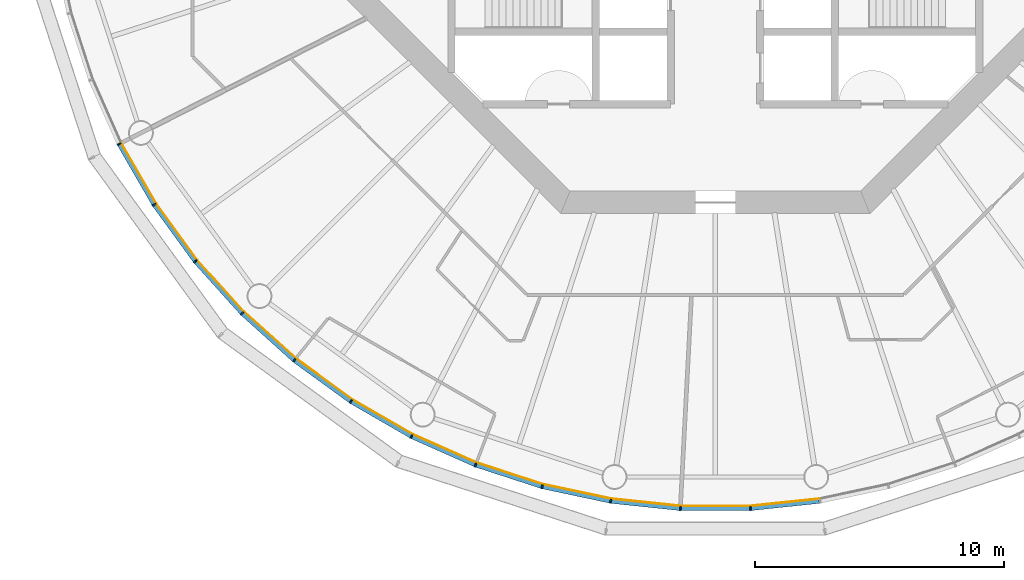
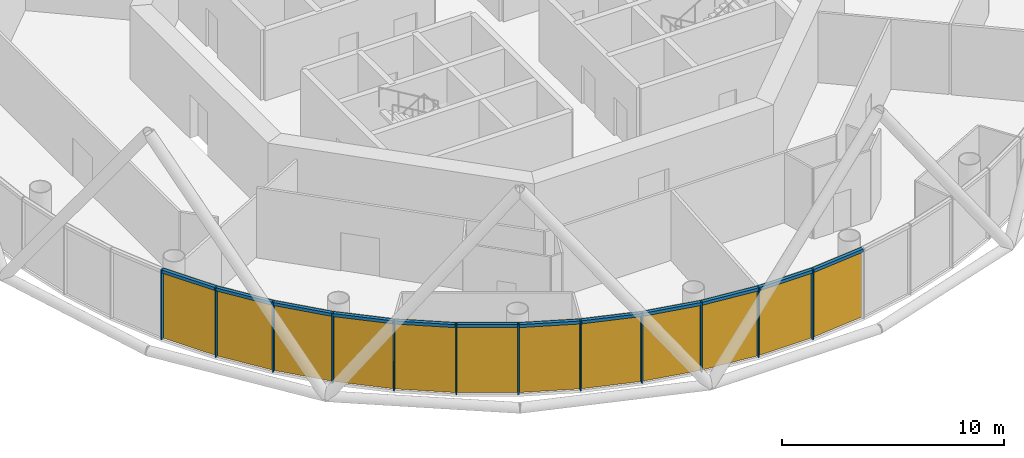
# One storey, part 7 of 13: 24 members, 4 curtain walls.
"""IFC4 building model written with IfcOpenShell, lengths in metres."""

from ifc_helpers import new_model, si_unit, direction, frame, origin, origin_2d, place, context, subcontext, project, spatial, polyline, rectangle, outline, extrude, material, layer, layer_set, material_profile, profile_set, type_object, element, aggregate, save


model = new_model("IFC4")

# Units and contexts
model_context = context("Model", 3, precision=1e-05, world=origin(), true_north=direction((0.0, 1.0)))
body_context = subcontext(model_context, "Body", "Model", "MODEL_VIEW")
ifc_project = project(units=[si_unit("LENGTHUNIT", "METRE"), si_unit("AREAUNIT", "SQUARE_METRE"), si_unit("VOLUMEUNIT", "CUBIC_METRE"), si_unit("PLANEANGLEUNIT", "RADIAN"), si_unit("MASSUNIT", "GRAM", prefix="KILO")], contexts=[model_context])

# Member
ifc_material_1 = material(Name="Anodised aluminium", Category="aluminium")
ifc_material_profile_1 = material_profile(ifc_material_1, rectangle(XDim=0.06005859375, YDim=0.169921875, at=origin_2d()), Name="Mullion 60 x 170 mm anodised aluminium")
ifc_profile_set_1 = profile_set([ifc_material_profile_1], Name="Anodised aluminium")
member_type_1 = type_object("IfcMemberType", Name="Mullion 60 x 170 mm anodised aluminium", PredefinedType="MULLION", material=ifc_profile_set_1)
site_placement = place(None, origin())
building_placement = place(site_placement, origin())
storey_placement = place(building_placement, frame((0.0, 0.0, 250.0)))
member_1_placement = place(storey_placement, frame((66.04541015625, 67.79443359375, 0.0), z_axis=(0.0, 0.0, 1.0), x_axis=(0.45399049974, -0.891006524188, 0.0)))
member_1 = element("IfcMember", 1, at=member_1_placement, type_object=member_type_1, Name="MULLION L57-33", PredefinedType="MULLION", context=body_context, shape_type="SweptSolid", body=[
    extrude(rectangle(XDim=0.06005859375, YDim=0.169921875, at=origin_2d()), origin(), (0.0, 0.0, 1.0), 3.85009765625),
])

member_2_placement = place(storey_placement, frame((67.452392578125, 65.357421875, 0.0), z_axis=(0.0, 0.0, 1.0), x_axis=(0.544639035015, -0.838670567945, 0.0)))
member_2 = element("IfcMember", 2, at=member_2_placement, type_object=member_type_1, Name="MULLION L57-34", PredefinedType="MULLION", context=body_context, shape_type="SweptSolid", body=[
    extrude(rectangle(XDim=0.06005859375, YDim=0.169921875, at=origin_2d()), origin(), (0.0, 0.0, 1.0), 3.85009765625),
])

member_3_placement = place(storey_placement, frame((69.1064453125, 63.080810546875, 0.0), z_axis=(0.0, 0.0, 1.0), x_axis=(0.62932039105, -0.777145961457, 0.0)))
member_3 = element("IfcMember", 3, at=member_3_placement, type_object=member_type_1, Name="MULLION L57-35", PredefinedType="MULLION", context=body_context, shape_type="SweptSolid", body=[
    extrude(rectangle(XDim=0.06005859375, YDim=0.169921875, at=origin_2d()), origin(), (0.0, 0.0, 1.0), 3.85009765625),
])

member_4_placement = place(storey_placement, frame((70.989501953125, 60.989501953125, 0.0), z_axis=(0.0, 0.0, 1.0), x_axis=(0.707106781187, -0.707106781187, 0.0)))
member_4 = element("IfcMember", 4, at=member_4_placement, type_object=member_type_1, Name="MULLION L57-36", PredefinedType="MULLION", context=body_context, shape_type="SweptSolid", body=[
    extrude(rectangle(XDim=0.06005859375, YDim=0.169921875, at=origin_2d()), origin(), (0.0, 0.0, 1.0), 3.85009765625),
])

member_5_placement = place(storey_placement, frame((73.080810546875, 59.1064453125, 0.0), z_axis=(0.0, 0.0, 1.0), x_axis=(0.777145961457, -0.62932039105, 0.0)))
member_5 = element("IfcMember", 5, at=member_5_placement, type_object=member_type_1, Name="MULLION L57-37", PredefinedType="MULLION", context=body_context, shape_type="SweptSolid", body=[
    extrude(rectangle(XDim=0.06005859375, YDim=0.169921875, at=origin_2d()), origin(), (0.0, 0.0, 1.0), 3.85009765625),
])

member_6_placement = place(storey_placement, frame((75.357421875, 57.452392578125, 0.0), z_axis=(0.0, 0.0, 1.0), x_axis=(0.838670567945, -0.544639035015, 0.0)))
member_6 = element("IfcMember", 6, at=member_6_placement, type_object=member_type_1, Name="MULLION L57-38", PredefinedType="MULLION", context=body_context, shape_type="SweptSolid", body=[
    extrude(rectangle(XDim=0.06005859375, YDim=0.169921875, at=origin_2d()), origin(), (0.0, 0.0, 1.0), 3.85009765625),
])

member_7_placement = place(storey_placement, frame((77.79443359375, 56.04541015625, 0.0), z_axis=(0.0, 0.0, 1.0), x_axis=(0.891006524188, -0.45399049974, 0.0)))
member_7 = element("IfcMember", 7, at=member_7_placement, type_object=member_type_1, Name="MULLION L57-39", PredefinedType="MULLION", context=body_context, shape_type="SweptSolid", body=[
    extrude(rectangle(XDim=0.06005859375, YDim=0.169921875, at=origin_2d()), origin(), (0.0, 0.0, 1.0), 3.85009765625),
])

member_8_placement = place(storey_placement, frame((80.365234375, 54.900634765625, 0.0), z_axis=(0.0, 0.0, 1.0), x_axis=(0.933580426497, -0.358367949545, 0.0)))
member_8 = element("IfcMember", 8, at=member_8_placement, type_object=member_type_1, Name="MULLION L57-40", PredefinedType="MULLION", context=body_context, shape_type="SweptSolid", body=[
    extrude(rectangle(XDim=0.06005859375, YDim=0.169921875, at=origin_2d()), origin(), (0.0, 0.0, 1.0), 3.85009765625),
])

member_9_placement = place(storey_placement, frame((83.041748046875, 54.031005859375, 0.0), z_axis=(0.0, 0.0, 1.0), x_axis=(0.965925826289, -0.258819045103, 0.0)))
member_9 = element("IfcMember", 9, at=member_9_placement, type_object=member_type_1, Name="MULLION L57-41", PredefinedType="MULLION", context=body_context, shape_type="SweptSolid", body=[
    extrude(rectangle(XDim=0.06005859375, YDim=0.169921875, at=origin_2d()), origin(), (0.0, 0.0, 1.0), 3.85009765625),
])

member_10_placement = place(storey_placement, frame((85.794189453125, 53.446044921875, 0.0), z_axis=(0.0, 0.0, 1.0), x_axis=(0.987688340595, -0.15643446504, 0.0)))
member_10 = element("IfcMember", 10, at=member_10_placement, type_object=member_type_1, Name="MULLION L57-42", PredefinedType="MULLION", context=body_context, shape_type="SweptSolid", body=[
    extrude(rectangle(XDim=0.06005859375, YDim=0.169921875, at=origin_2d()), origin(), (0.0, 0.0, 1.0), 3.85009765625),
])

member_11_placement = place(storey_placement, frame((88.593017578125, 53.15185546875, 0.0), z_axis=(0.0, 0.0, 1.0), x_axis=(0.998629534755, -0.052335956243, 0.0)))
member_11 = element("IfcMember", 11, at=member_11_placement, type_object=member_type_1, Name="MULLION L57-43", PredefinedType="MULLION", context=body_context, shape_type="SweptSolid", body=[
    extrude(rectangle(XDim=0.06005859375, YDim=0.169921875, at=origin_2d()), origin(), (0.0, 0.0, 1.0), 3.85009765625),
])

member_12_placement = place(storey_placement, frame((91.406982421875, 53.15185546875, 0.0), z_axis=(0.0, 0.0, 1.0), x_axis=(0.998629534755, 0.052335956243, 0.0)))
member_12 = element("IfcMember", 12, at=member_12_placement, type_object=member_type_1, Name="MULLION L57-44", PredefinedType="MULLION", context=body_context, shape_type="SweptSolid", body=[
    extrude(rectangle(XDim=0.06005859375, YDim=0.169921875, at=origin_2d()), origin(), (0.0, 0.0, 1.0), 3.85009765625),
])

ifc_material_2 = material(Name="Anodised aluminium", Category="aluminium")
ifc_material_profile_2 = material_profile(ifc_material_2, rectangle(XDim=0.169921875, YDim=0.1650390625, at=origin_2d()), Name="Transom 165 x 170 mm anodised aluminium")
ifc_profile_set_2 = profile_set([ifc_material_profile_2], Name="Anodised aluminium")
member_type_2 = type_object("IfcMemberType", Name="Transom 165 x 170 mm anodised aluminium", PredefinedType="USERDEFINED", material=ifc_profile_set_2)
member_13_placement = place(storey_placement, frame((66.0625, 67.7646484375, 3.767578125), z_axis=(0.49998419723, -0.866034527326, 0.0), x_axis=(0.866034527326, 0.49998419723, 0.0)))
member_13 = element("IfcMember", 13, at=member_13_placement, type_object=member_type_2, Name="TRANSOM L57-33", ObjectType="TRANSOM", PredefinedType="USERDEFINED", context=body_context, shape_type="SweptSolid", body=[
    extrude(rectangle(XDim=0.169921875, YDim=0.1650390625, at=origin_2d()), origin(), (0.0, 0.0, 1.0), 2.7451171875),
])

member_14_placement = place(storey_placement, frame((67.472412109375, 65.329345703125, 3.767578125), z_axis=(0.587864947412, -0.808959086484, 0.0), x_axis=(0.808959086484, 0.587864947412, 0.0)))
member_14 = element("IfcMember", 14, at=member_14_placement, type_object=member_type_2, Name="TRANSOM L57-34", ObjectType="TRANSOM", PredefinedType="USERDEFINED", context=body_context, shape_type="SweptSolid", body=[
    extrude(rectangle(XDim=0.169921875, YDim=0.1650390625, at=origin_2d()), origin(), (0.0, 0.0, 1.0), 2.7451171875),
])

member_15_placement = place(storey_placement, frame((69.12939453125, 63.054931640625, 3.767578125), z_axis=(0.669141598561, -0.743134927907, 0.0), x_axis=(0.743134927907, 0.669141598561, 0.0)))
member_15 = element("IfcMember", 15, at=member_15_placement, type_object=member_type_2, Name="TRANSOM L57-35", ObjectType="TRANSOM", PredefinedType="USERDEFINED", context=body_context, shape_type="SweptSolid", body=[
    extrude(rectangle(XDim=0.169921875, YDim=0.1650390625, at=origin_2d()), origin(), (0.0, 0.0, 1.0), 2.7451171875),
])

member_16_placement = place(storey_placement, frame((71.014892578125, 60.96630859375, 3.767578125), z_axis=(0.743134927907, -0.669141598561, 0.0), x_axis=(0.669141598561, 0.743134927907, 0.0)))
member_16 = element("IfcMember", 16, at=member_16_placement, type_object=member_type_2, Name="TRANSOM L57-36", ObjectType="TRANSOM", PredefinedType="USERDEFINED", context=body_context, shape_type="SweptSolid", body=[
    extrude(rectangle(XDim=0.169921875, YDim=0.1650390625, at=origin_2d()), origin(), (0.0, 0.0, 1.0), 2.7451171875),
])

member_17_placement = place(storey_placement, frame((73.108642578125, 59.086181640625, 3.767578125), z_axis=(0.808959086484, -0.587864947412, 0.0), x_axis=(0.587864947412, 0.808959086484, 0.0)))
member_17 = element("IfcMember", 17, at=member_17_placement, type_object=member_type_2, Name="TRANSOM L57-37", ObjectType="TRANSOM", PredefinedType="USERDEFINED", context=body_context, shape_type="SweptSolid", body=[
    extrude(rectangle(XDim=0.169921875, YDim=0.1650390625, at=origin_2d()), origin(), (0.0, 0.0, 1.0), 2.7451171875),
])

member_18_placement = place(storey_placement, frame((75.38720703125, 57.43505859375, 3.767578125), z_axis=(0.866034527326, -0.49998419723, 0.0), x_axis=(0.49998419723, 0.866034527326, 0.0)))
member_18 = element("IfcMember", 18, at=member_18_placement, type_object=member_type_2, Name="TRANSOM L57-38", ObjectType="TRANSOM", PredefinedType="USERDEFINED", context=body_context, shape_type="SweptSolid", body=[
    extrude(rectangle(XDim=0.169921875, YDim=0.1650390625, at=origin_2d()), origin(), (0.0, 0.0, 1.0), 2.7451171875),
])

member_19_placement = place(storey_placement, frame((77.825927734375, 56.03125, 3.767578125), z_axis=(0.913525267704, -0.406781987391, 0.0), x_axis=(0.406781987391, 0.913525267704, 0.0)))
member_19 = element("IfcMember", 19, at=member_19_placement, type_object=member_type_2, Name="TRANSOM L57-39", ObjectType="TRANSOM", PredefinedType="USERDEFINED", context=body_context, shape_type="SweptSolid", body=[
    extrude(rectangle(XDim=0.169921875, YDim=0.1650390625, at=origin_2d()), origin(), (0.0, 0.0, 1.0), 2.7451171875),
])

member_20_placement = place(storey_placement, frame((80.39794921875, 54.889892578125, 3.767578125), z_axis=(0.951048445774, -0.309041831781, 0.0), x_axis=(0.309041831781, 0.951048445774, 0.0)))
member_20 = element("IfcMember", 20, at=member_20_placement, type_object=member_type_2, Name="TRANSOM L57-40", ObjectType="TRANSOM", PredefinedType="USERDEFINED", context=body_context, shape_type="SweptSolid", body=[
    extrude(rectangle(XDim=0.169921875, YDim=0.1650390625, at=origin_2d()), origin(), (0.0, 0.0, 1.0), 2.7451171875),
])

member_21_placement = place(storey_placement, frame((83.075439453125, 54.02392578125, 3.767578125), z_axis=(0.97814212115, -0.207937468562, 0.0), x_axis=(0.207937468562, 0.97814212115, 0.0)))
member_21 = element("IfcMember", 21, at=member_21_placement, type_object=member_type_2, Name="TRANSOM L57-41", ObjectType="TRANSOM", PredefinedType="USERDEFINED", context=body_context, shape_type="SweptSolid", body=[
    extrude(rectangle(XDim=0.169921875, YDim=0.1650390625, at=origin_2d()), origin(), (0.0, 0.0, 1.0), 2.7451171875),
])

member_22_placement = place(storey_placement, frame((85.82861328125, 53.4423828125, 3.767578125), z_axis=(0.994515195344, -0.104592190102, 0.0), x_axis=(0.104592190102, 0.994515195344, 0.0)))
member_22 = element("IfcMember", 22, at=member_22_placement, type_object=member_type_2, Name="TRANSOM L57-42", ObjectType="TRANSOM", PredefinedType="USERDEFINED", context=body_context, shape_type="SweptSolid", body=[
    extrude(rectangle(XDim=0.169921875, YDim=0.1650390625, at=origin_2d()), origin(), (0.0, 0.0, 1.0), 2.7451171875),
])

member_23_placement = place(storey_placement, frame((88.62744140625, 53.151611328125, 3.767578125), z_axis=(1.0, 0.0, 0.0), x_axis=(0.0, 1.0, 0.0)))
member_23 = element("IfcMember", 23, at=member_23_placement, type_object=member_type_2, Name="TRANSOM L57-43", ObjectType="TRANSOM", PredefinedType="USERDEFINED", context=body_context, shape_type="SweptSolid", body=[
    extrude(rectangle(XDim=0.169921875, YDim=0.1650390625, at=origin_2d()), origin(), (0.0, 0.0, 1.0), 2.7451171875),
])

member_24_placement = place(storey_placement, frame((91.44140625, 53.1552734375, 3.767578125), z_axis=(0.994515195344, 0.104592190102, 0.0), x_axis=(-0.104592190102, 0.994515195344, 0.0)))
member_24 = element("IfcMember", 24, at=member_24_placement, type_object=member_type_2, Name="TRANSOM L57-44", ObjectType="TRANSOM", PredefinedType="USERDEFINED", context=body_context, shape_type="SweptSolid", body=[
    extrude(rectangle(XDim=0.169921875, YDim=0.1650390625, at=origin_2d()), origin(), (0.0, 0.0, 1.0), 2.7451171875),
])

# Site, building, storey
site = spatial("IfcSite", under=ifc_project, at=site_placement, CompositionType="ELEMENT")
building = spatial("IfcBuilding", under=site, at=building_placement, Name="Entoto Ring Tower", CompositionType="ELEMENT")
storey = spatial("IfcBuildingStorey", under=building, at=storey_placement, Name="L57", CompositionType="ELEMENT", Elevation=250.0)

# Curtain wall
ifc_material_3 = material(Name="Clear low-iron glass", Category="glass")
ifc_layer = layer(ifc_material_3, 0.031982421875)
ifc_layer_set = layer_set([ifc_layer], Name="Clear low-iron glass")
curtain_wall_type = type_object("IfcCurtainWallType", Name="Curtain wall system CW4 glazing 32 mm", PredefinedType="NOTDEFINED", material=ifc_layer_set)
curtain_wall_1_placement = place(storey_placement, origin())
curtain_wall_1 = element("IfcCurtainWall", 25, at=curtain_wall_1_placement, inside=storey, type_object=curtain_wall_type, Name="CW4 L57-12", PredefinedType="NOTDEFINED", context=body_context, shape_type="SweptSolid", body=[
    extrude(outline(polyline([(66.12109375, 67.8330078125), (67.523681640625, 65.403564453125), (69.172607421875, 63.13427734375), (71.049560546875, 61.049560546875), (71.072265625, 61.072265625), (69.197509765625, 63.154296875), (67.550537109375, 65.421142578125), (66.149658203125, 67.84765625), (66.12109375, 67.8330078125)])), origin(), (0.0, 0.0, 1.0), 3.85009765625),
])

aggregate(curtain_wall_1, [member_1, member_2, member_3, member_13, member_14, member_15])

curtain_wall_2_placement = place(storey_placement, origin())
curtain_wall_2 = element("IfcCurtainWall", 26, at=curtain_wall_2_placement, inside=storey, type_object=curtain_wall_type, Name="CW4 L57-13", PredefinedType="NOTDEFINED", context=body_context, shape_type="SweptSolid", body=[
    extrude(outline(polyline([(71.049560546875, 61.049560546875), (73.13427734375, 59.172607421875), (75.403564453125, 57.523681640625), (77.8330078125, 56.12109375), (77.84765625, 56.149658203125), (75.421142578125, 57.550537109375), (73.154296875, 59.197509765625), (71.072265625, 61.072265625), (71.049560546875, 61.049560546875)])), origin(), (0.0, 0.0, 1.0), 3.85009765625),
])

aggregate(curtain_wall_2, [member_4, member_5, member_6, member_16, member_17, member_18])

curtain_wall_3_placement = place(storey_placement, origin())
curtain_wall_3 = element("IfcCurtainWall", 27, at=curtain_wall_3_placement, inside=storey, type_object=curtain_wall_type, Name="CW4 L57-14", PredefinedType="NOTDEFINED", context=body_context, shape_type="SweptSolid", body=[
    extrude(outline(polyline([(77.8330078125, 56.12109375), (80.395751953125, 54.97998046875), (83.063720703125, 54.11328125), (85.8076171875, 53.530029296875), (85.8125, 53.5615234375), (83.072021484375, 54.14404296875), (80.4072265625, 55.010009765625), (77.84765625, 56.149658203125), (77.8330078125, 56.12109375)])), origin(), (0.0, 0.0, 1.0), 3.85009765625),
])

aggregate(curtain_wall_3, [member_7, member_8, member_9, member_19, member_20, member_21])

curtain_wall_4_placement = place(storey_placement, origin())
curtain_wall_4 = element("IfcCurtainWall", 28, at=curtain_wall_4_placement, inside=storey, type_object=curtain_wall_type, Name="CW4 L57-15", PredefinedType="NOTDEFINED", context=body_context, shape_type="SweptSolid", body=[
    extrude(outline(polyline([(85.8076171875, 53.530029296875), (88.597412109375, 53.23681640625), (91.402587890625, 53.23681640625), (94.1923828125, 53.530029296875), (94.1875, 53.5615234375), (91.40087890625, 53.268798828125), (88.59912109375, 53.268798828125), (85.8125, 53.5615234375), (85.8076171875, 53.530029296875)])), origin(), (0.0, 0.0, 1.0), 3.85009765625),
])

aggregate(curtain_wall_4, [member_10, member_11, member_12, member_22, member_23, member_24])

save(model, "model.ifc")
